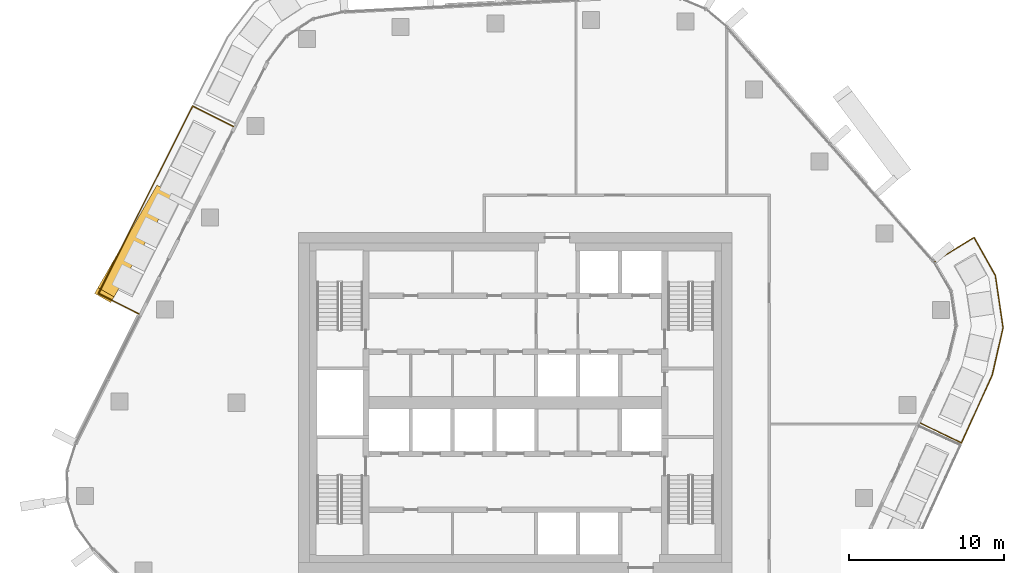
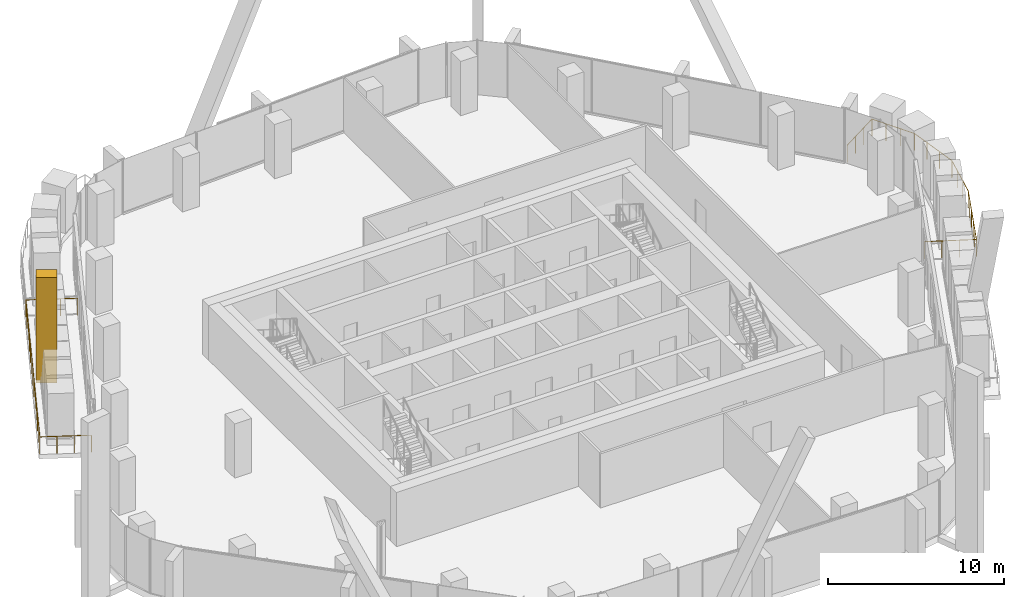
# One storey, part 17 of 20: 2 railings, 1 covering, 1 element without a shape of its own.
"""IFC4 building model written with IfcOpenShell, lengths in metres."""

from ifc_helpers import new_model, si_unit, direction, frame, origin, origin_2d, place, context, subcontext, project, spatial, rectangle, circle, extrude, material, layer, layer_set, material_profile, profile_set, type_object, element, aggregate, save


model = new_model("IFC4")

# Units and contexts
model_context = context("Model", 3, precision=1e-05, world=origin(), true_north=direction((0.0, 1.0)))
body_context = subcontext(model_context, "Body", "Model", "MODEL_VIEW")
ifc_project = project(units=[si_unit("LENGTHUNIT", "METRE"), si_unit("AREAUNIT", "SQUARE_METRE"), si_unit("VOLUMEUNIT", "CUBIC_METRE"), si_unit("PLANEANGLEUNIT", "RADIAN"), si_unit("MASSUNIT", "GRAM", prefix="KILO")], contexts=[model_context])

# Site, building, storey
site_placement = place(None, origin())
site = spatial("IfcSite", under=ifc_project, at=site_placement, CompositionType="ELEMENT")
building_placement = place(site_placement, origin())
building = spatial("IfcBuilding", under=site, at=building_placement, Name="Dongbaek Canopy Tower", CompositionType="ELEMENT")
storey_placement = place(building_placement, frame((0.0, 0.0, 228.60009765625)))
storey = spatial("IfcBuildingStorey", under=building, at=storey_placement, Name="L47", CompositionType="ELEMENT", Elevation=228.60009765625)

# Railings
ifc_material_1 = material(Name="Stainless steel", Category="steel")
railing_type = type_object("IfcRailingType", Name="Balcony balustrade 1200", PredefinedType="BALUSTRADE", material=ifc_material_1)
railing_1_placement = place(storey_placement, frame((-18.20263671875, 17.837646484375, 0.0)))
element("IfcRailing", 1, at=railing_1_placement, inside=storey, type_object=railing_type, Name="Balcony guard L47 1", PredefinedType="BALUSTRADE", context=body_context, shape_type="SweptSolid", body=[
    extrude(circle(Radius=0.02392578125, at=origin_2d()), frame((0.0, 0.0, 1.17578125), z_axis=(-0.893561857338, 0.448940093008, 0.0), x_axis=(-0.448940093008, -0.893561857338, 0.0)), (0.0, 0.0, 1.0), 2.93994140625),
    extrude(circle(Radius=0.02392578125, at=origin_2d()), frame((-2.626953125, 1.31982421875, 1.17578125), z_axis=(-0.448906235876, -0.893578866912, 0.0), x_axis=(0.893578866912, -0.448906235876, 0.0)), (0.0, 0.0, 1.0), 13.5517578125),
    extrude(circle(Radius=0.02392578125, at=origin_2d()), frame((-8.71044921875, -10.789794921875, 1.17578125), z_axis=(0.893561857338, -0.448940093008, 0.0), x_axis=(0.448940093008, 0.893561857338, 0.0)), (0.0, 0.0, 1.0), 2.93994140625),
    extrude(circle(Radius=0.02099609375, at=origin_2d()), origin(), (0.0, 0.0, 1.0), 1.15185546875),
    extrude(circle(Radius=0.02099609375, at=origin_2d()), frame((-0.875732421875, 0.43994140625, 0.0)), (0.0, 0.0, 1.0), 1.15185546875),
    extrude(circle(Radius=0.02099609375, at=origin_2d()), frame((-1.751220703125, 0.8798828125, 0.0)), (0.0, 0.0, 1.0), 1.15185546875),
    extrude(circle(Radius=0.02099609375, at=origin_2d()), frame((-2.626953125, 1.31982421875, 0.0)), (0.0, 0.0, 1.0), 1.15185546875),
    extrude(circle(Radius=0.02099609375, at=origin_2d()), frame((-3.1337890625, 0.310791015625, 0.0)), (0.0, 0.0, 1.0), 1.15185546875),
    extrude(circle(Radius=0.02099609375, at=origin_2d()), frame((-3.640869140625, -0.698486328125, 0.0)), (0.0, 0.0, 1.0), 1.15185546875),
    extrude(circle(Radius=0.02099609375, at=origin_2d()), frame((-4.14794921875, -1.70751953125, 0.0)), (0.0, 0.0, 1.0), 1.15185546875),
    extrude(circle(Radius=0.02099609375, at=origin_2d()), frame((-4.65478515625, -2.716796875, 0.0)), (0.0, 0.0, 1.0), 1.15185546875),
    extrude(circle(Radius=0.02099609375, at=origin_2d()), frame((-5.16162109375, -3.725830078125, 0.0)), (0.0, 0.0, 1.0), 1.15185546875),
    extrude(circle(Radius=0.02099609375, at=origin_2d()), frame((-5.668701171875, -4.73486328125, 0.0)), (0.0, 0.0, 1.0), 1.15185546875),
    extrude(circle(Radius=0.02099609375, at=origin_2d()), frame((-6.17578125, -5.744140625, 0.0)), (0.0, 0.0, 1.0), 1.15185546875),
    extrude(circle(Radius=0.02099609375, at=origin_2d()), frame((-6.6826171875, -6.753173828125, 0.0)), (0.0, 0.0, 1.0), 1.15185546875),
    extrude(circle(Radius=0.02099609375, at=origin_2d()), frame((-7.189453125, -7.762451171875, 0.0)), (0.0, 0.0, 1.0), 1.15185546875),
    extrude(circle(Radius=0.02099609375, at=origin_2d()), frame((-7.696533203125, -8.771484375, 0.0)), (0.0, 0.0, 1.0), 1.15185546875),
    extrude(circle(Radius=0.02099609375, at=origin_2d()), frame((-8.20361328125, -9.78076171875, 0.0)), (0.0, 0.0, 1.0), 1.15185546875),
    extrude(circle(Radius=0.02099609375, at=origin_2d()), frame((-8.71044921875, -10.789794921875, 0.0)), (0.0, 0.0, 1.0), 1.15185546875),
    extrude(circle(Radius=0.02099609375, at=origin_2d()), frame((-7.834716796875, -11.229736328125, 0.0)), (0.0, 0.0, 1.0), 1.15185546875),
    extrude(circle(Radius=0.02099609375, at=origin_2d()), frame((-6.959228515625, -11.669677734375, 0.0)), (0.0, 0.0, 1.0), 1.15185546875),
    extrude(circle(Radius=0.02099609375, at=origin_2d()), frame((-6.08349609375, -12.109619140625, 0.0)), (0.0, 0.0, 1.0), 1.15185546875),
])
railing_2_placement = place(storey_placement, frame((26.147705078125, -1.3173828125, 0.0)))
element("IfcRailing", 2, at=railing_2_placement, inside=storey, type_object=railing_type, Name="Balcony guard L47 3", PredefinedType="BALUSTRADE", context=body_context, shape_type="SweptSolid", body=[
    extrude(circle(Radius=0.02392578125, at=origin_2d()), frame((0.0, 0.0, 1.17578125), z_axis=(0.900648008926, -0.434549380413, 0.0), x_axis=(0.434549380413, 0.900648008926, 0.0)), (0.0, 0.0, 1.0), 2.940673828125),
    extrude(circle(Radius=0.02392578125, at=origin_2d()), frame((2.6484375, -1.27783203125, 1.17578125), z_axis=(0.413573956209, 0.910470528213, 0.0), x_axis=(-0.910470528213, 0.413573956209, 0.0)), (0.0, 0.0, 1.0), 4.820068359375),
    extrude(circle(Radius=0.02392578125, at=origin_2d()), frame((4.641845703125, 3.110595703125, 1.17578125), z_axis=(0.22237203098, 0.974961886351, 0.0), x_axis=(-0.974961886351, 0.22237203098, 0.0)), (0.0, 0.0, 1.0), 3.13330078125),
    extrude(circle(Radius=0.02392578125, at=origin_2d()), frame((5.338623046875, 6.16552734375, 1.17578125), z_axis=(-0.146377531235, 0.989228799798, 0.0), x_axis=(-0.989228799798, -0.146377531235, 0.0)), (0.0, 0.0, 1.0), 3.41259765625),
    extrude(circle(Radius=0.02392578125, at=origin_2d()), frame((4.839111328125, 9.541259765625, 1.17578125), z_axis=(-0.489706776899, 0.871887190329, 0.0), x_axis=(-0.871887190329, -0.489706776899, 0.0)), (0.0, 0.0, 1.0), 2.8017578125),
    extrude(circle(Radius=0.02392578125, at=origin_2d()), frame((3.467041015625, 11.984130859375, 1.17578125), z_axis=(-0.85177802497, -0.523902849943, 0.0), x_axis=(0.523902849943, -0.85177802497, 0.0)), (0.0, 0.0, 1.0), 2.9404296875),
    extrude(circle(Radius=0.02099609375, at=origin_2d()), origin(), (0.0, 0.0, 1.0), 1.15185546875),
    extrude(circle(Radius=0.02099609375, at=origin_2d()), frame((0.8828125, -0.426025390625, 0.0)), (0.0, 0.0, 1.0), 1.15185546875),
    extrude(circle(Radius=0.02099609375, at=origin_2d()), frame((1.765625, -0.851806640625, 0.0)), (0.0, 0.0, 1.0), 1.15185546875),
    extrude(circle(Radius=0.02099609375, at=origin_2d()), frame((2.6484375, -1.27783203125, 0.0)), (0.0, 0.0, 1.0), 1.15185546875),
    extrude(circle(Radius=0.02099609375, at=origin_2d()), frame((3.047119140625, -0.400146484375, 0.0)), (0.0, 0.0, 1.0), 1.15185546875),
    extrude(circle(Radius=0.02099609375, at=origin_2d()), frame((3.44580078125, 0.4775390625, 0.0)), (0.0, 0.0, 1.0), 1.15185546875),
    extrude(circle(Radius=0.02099609375, at=origin_2d()), frame((3.844482421875, 1.355224609375, 0.0)), (0.0, 0.0, 1.0), 1.15185546875),
    extrude(circle(Radius=0.02099609375, at=origin_2d()), frame((4.2431640625, 2.23291015625, 0.0)), (0.0, 0.0, 1.0), 1.15185546875),
    extrude(circle(Radius=0.02099609375, at=origin_2d()), frame((4.641845703125, 3.110595703125, 0.0)), (0.0, 0.0, 1.0), 1.15185546875),
    extrude(circle(Radius=0.02099609375, at=origin_2d()), frame((4.8740234375, 4.12890625, 0.0)), (0.0, 0.0, 1.0), 1.15185546875),
    extrude(circle(Radius=0.02099609375, at=origin_2d()), frame((5.1064453125, 5.147216796875, 0.0)), (0.0, 0.0, 1.0), 1.15185546875),
    extrude(circle(Radius=0.02099609375, at=origin_2d()), frame((5.338623046875, 6.16552734375, 0.0)), (0.0, 0.0, 1.0), 1.15185546875),
    extrude(circle(Radius=0.02099609375, at=origin_2d()), frame((5.172119140625, 7.290771484375, 0.0)), (0.0, 0.0, 1.0), 1.15185546875),
    extrude(circle(Radius=0.02099609375, at=origin_2d()), frame((5.005615234375, 8.416015625, 0.0)), (0.0, 0.0, 1.0), 1.15185546875),
    extrude(circle(Radius=0.02099609375, at=origin_2d()), frame((4.839111328125, 9.541259765625, 0.0)), (0.0, 0.0, 1.0), 1.15185546875),
    extrude(circle(Radius=0.02099609375, at=origin_2d()), frame((4.3818359375, 10.35546875, 0.0)), (0.0, 0.0, 1.0), 1.15185546875),
    extrude(circle(Radius=0.02099609375, at=origin_2d()), frame((3.92431640625, 11.169921875, 0.0)), (0.0, 0.0, 1.0), 1.15185546875),
    extrude(circle(Radius=0.02099609375, at=origin_2d()), frame((3.467041015625, 11.984130859375, 0.0)), (0.0, 0.0, 1.0), 1.15185546875),
    extrude(circle(Radius=0.02099609375, at=origin_2d()), frame((2.632080078125, 11.470703125, 0.0)), (0.0, 0.0, 1.0), 1.15185546875),
    extrude(circle(Radius=0.02099609375, at=origin_2d()), frame((1.79736328125, 10.95703125, 0.0)), (0.0, 0.0, 1.0), 1.15185546875),
    extrude(circle(Radius=0.02099609375, at=origin_2d()), frame((0.96240234375, 10.443603515625, 0.0)), (0.0, 0.0, 1.0), 1.15185546875),
])

# Curtain wall, covering
ifc_material_2 = material(Name="Aluminium 6063-T6 pale anodised", Category="aluminium")
ifc_layer = layer(ifc_material_2, 0.199951171875)
ifc_layer_set = layer_set([ifc_layer], Name="CW-1 unitised tower curtain wall")
curtain_wall_type = type_object("IfcCurtainWallType", Name="CW-1 unitised tower curtain wall", PredefinedType="NOTDEFINED", material=ifc_layer_set)
curtain_wall_placement = place(storey_placement, origin())
curtain_wall = element("IfcCurtainWall", 3, at=curtain_wall_placement, inside=storey, type_object=curtain_wall_type, Name="CW-1 curtain wall F2.1", PredefinedType="NOTDEFINED")
ifc_material_3 = material(Name="Aluminium 6063-T6 pale metal fin", Category="aluminium")
ifc_material_profile = material_profile(ifc_material_3, rectangle(XDim=1.199951171875, YDim=0.5, at=origin_2d()), Name="Crease fin CF1 500 x 1200 pale metal")
ifc_profile_set = profile_set([ifc_material_profile], Name="Aluminium 6063-T6 pale metal fin")
covering_type = type_object("IfcCoveringType", Name="Crease fin CF1 500 x 1200 pale metal", PredefinedType="CLADDING", material=ifc_profile_set)
covering_placement = place(storey_placement, frame((-22.72021484375, 13.568359375, -0.22509765625), z_axis=(-0.25825292311, -0.448400091031, 0.855711859254), x_axis=(0.866552943615, -0.499085158978, 0.0)))
covering = element("IfcCovering", 4, at=covering_placement, type_object=covering_type, Name="Crease fin L47 L50 F2", PredefinedType="CLADDING", context=body_context, shape_type="SweptSolid", body=[
    extrude(rectangle(XDim=1.199951171875, YDim=0.5, at=origin_2d()), origin(), (0.0, 0.0, 1.0), 14.765380859375),
])
aggregate(curtain_wall, [covering])

save(model, "model.ifc")
